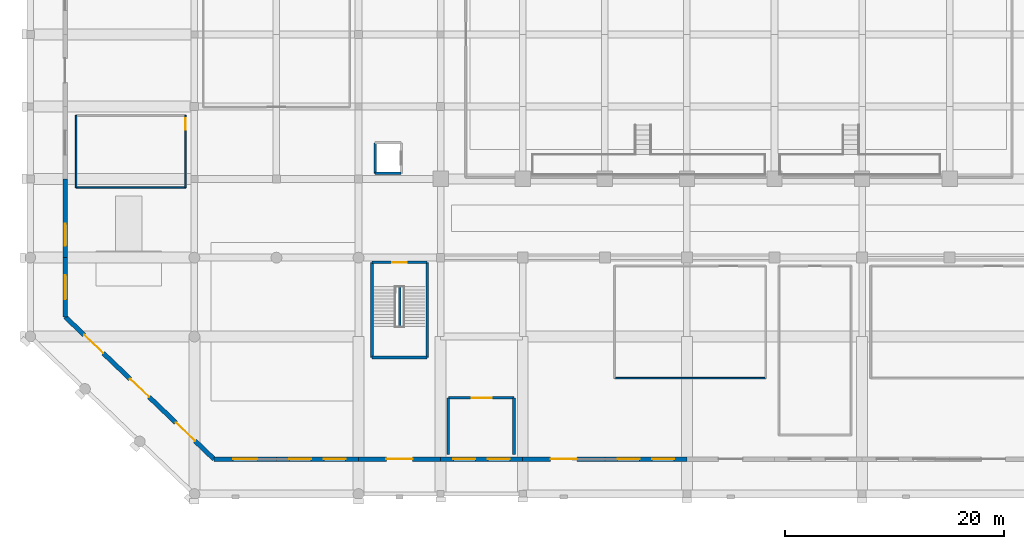
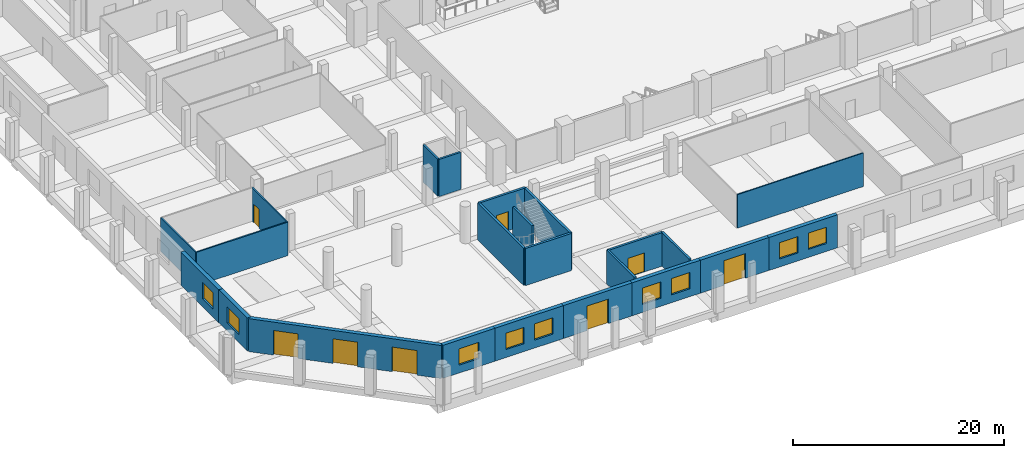
# One storey, part 11 of 33: 23 walls, 9 windows, 8 doors, 17 openings.
"""IFC4 building model written with IfcOpenShell, lengths in metres."""

from ifc_helpers import new_model, si_unit, direction, frame, frame_2d, origin, place, context, subcontext, project, spatial, rectangle, extrude, material, layer, layer_set, type_object, element, fill, save


model = new_model("IFC4")

# Units and contexts
model_context = context("Model", 3, precision=1e-05, world=origin(), true_north=direction((0.0, 1.0)))
body_context = subcontext(model_context, "Body", "Model", "MODEL_VIEW")
ifc_project = project(units=[si_unit("LENGTHUNIT", "METRE"), si_unit("AREAUNIT", "SQUARE_METRE"), si_unit("VOLUMEUNIT", "CUBIC_METRE"), si_unit("PLANEANGLEUNIT", "RADIAN"), si_unit("MASSUNIT", "GRAM", prefix="KILO")], contexts=[model_context])

# Site, building, storey
site_placement = place(None, origin())
site = spatial("IfcSite", under=ifc_project, at=site_placement, CompositionType="ELEMENT")
building_placement = place(site_placement, origin())
building = spatial("IfcBuilding", under=site, at=building_placement, Name="Akrevak Sports Hall", CompositionType="ELEMENT")
storey_placement = place(building_placement, origin())
storey = spatial("IfcBuildingStorey", under=building, at=storey_placement, Name="L00", CompositionType="ELEMENT", Elevation=0.0)

# Wall, openings, doors
ifc_material_1 = material(Name="Limestone Ashlar", Category="stone")
ifc_layer_1 = layer(ifc_material_1, 0.090087890625, Name="Limestone Ashlar")
ifc_material_2 = material(Name="Mineral Wool Thermal Insulation", Category="insulation")
ifc_layer_2 = layer(ifc_material_2, 0.110107421875, Name="Mineral Wool Thermal Insulation")
ifc_material_3 = material(Name="Concrete C40/50", Category="concrete")
ifc_layer_3 = layer(ifc_material_3, 0.219970703125, Name="Concrete C40/50")
ifc_layer_set_1 = layer_set([ifc_layer_1, ifc_layer_2, ifc_layer_3], Name="Limestone Ashlar / Mineral Wool Thermal Insulation / Concrete C40/50")
wall_type_1 = type_object("IfcWallType", Name="ARC-WL-EXT-420", PredefinedType="SOLIDWALL", material=ifc_layer_set_1)
wall_1_placement = place(storey_placement, frame((16.800048828125, 3.199951171875, 0.0), z_axis=(0.0, 0.0, 1.0), x_axis=(-0.722875164409, 0.690978651392, 0.0)))
wall_1 = element("IfcWall", 1, at=wall_1_placement, inside=storey, type_object=wall_type_1, Name="Beaux-Arts Chamfer Colonnade Entrance Portal L00", PredefinedType="SOLIDWALL", context=body_context, shape_type="SweptSolid", body=[
    extrude(rectangle(XDim=18.81396484375, YDim=0.419921875, at=frame_2d((9.406982421875, 0.0))), origin(), (0.0, 0.0, 1.0), 3.820068359375),
])
opening_1_placement = place(wall_1_placement, frame((2.39990234375, 0.0, 0.0)))
opening_1 = element("IfcOpeningElement", 2, at=opening_1_placement, cuts=wall_1, Name="Opening ED-01", PredefinedType="OPENING", context=body_context, shape_type="SweptSolid", body=[
    extrude(rectangle(XDim=2.39990234375, YDim=2.85009765625, at=frame_2d((1.199951171875, 1.425048828125))), frame((0.0, 0.221923828125, 0.0), z_axis=(0.0, -1.0, 0.0), x_axis=(1.0, 0.0, 0.0)), (0.0, 0.0, 1.0), 0.44384765625),
])
opening_2_placement = place(wall_1_placement, frame((8.199951171875, 0.0, 0.0)))
opening_2 = element("IfcOpeningElement", 3, at=opening_2_placement, cuts=wall_1, Name="Opening ED-01", PredefinedType="OPENING", context=body_context, shape_type="SweptSolid", body=[
    extrude(rectangle(XDim=2.39990234375, YDim=2.85009765625, at=frame_2d((1.199951171875, 1.425048828125))), frame((0.0, 0.221923828125, 0.0), z_axis=(0.0, -1.0, 0.0), x_axis=(1.0, 0.0, 0.0)), (0.0, 0.0, 1.0), 0.44384765625),
])
opening_3_placement = place(wall_1_placement, frame((14.0, 0.0, 0.0)))
opening_3 = element("IfcOpeningElement", 4, at=opening_3_placement, cuts=wall_1, Name="Opening ED-01", PredefinedType="OPENING", context=body_context, shape_type="SweptSolid", body=[
    extrude(rectangle(XDim=2.39990234375, YDim=2.85009765625, at=frame_2d((1.199951171875, 1.425048828125))), frame((0.0, 0.221923828125, 0.0), z_axis=(0.0, -1.0, 0.0), x_axis=(1.0, 0.0, 0.0)), (0.0, 0.0, 1.0), 0.44384765625),
])
ifc_material_4 = material(Name="Anodized Bronze Aluminium & Tempered Glass", Category="aluminium")
door_type_1 = type_object("IfcDoorType", Name="ARC-DR-EXT-240x260", OperationType="DOUBLE_DOOR_SINGLE_SWING", PredefinedType="DOOR", material=ifc_material_4)
door_1_placement = place(opening_1_placement, origin())
door_1 = element("IfcDoor", 5, at=door_1_placement, inside=storey, type_object=door_type_1, Name="Grand Rotunda Corner Portal Center ED00", OperationType="DOUBLE_DOOR_SINGLE_SWING", OverallHeight=2.85009765625, OverallWidth=2.39990234375, PredefinedType="DOOR", context=body_context, shape_type="SweptSolid", body=[
    extrude(rectangle(XDim=2.39990234375, YDim=2.85009765625, at=frame_2d((1.199951171875, 1.425048828125))), frame((0.0, 0.02490234375, 0.0), z_axis=(0.0, -1.0, 0.0), x_axis=(1.0, 0.0, 0.0)), (0.0, 0.0, 1.0), 0.050048828125),
])
fill(opening_1, door_1)
door_2_placement = place(opening_2_placement, origin())
door_2 = element("IfcDoor", 6, at=door_2_placement, inside=storey, type_object=door_type_1, Name="Grand Rotunda Corner Portal West ED00B", OperationType="DOUBLE_DOOR_SINGLE_SWING", OverallHeight=2.85009765625, OverallWidth=2.39990234375, PredefinedType="DOOR", context=body_context, shape_type="SweptSolid", body=[
    extrude(rectangle(XDim=2.39990234375, YDim=2.85009765625, at=frame_2d((1.199951171875, 1.425048828125))), frame((0.0, 0.02490234375, 0.0), z_axis=(0.0, -1.0, 0.0), x_axis=(1.0, 0.0, 0.0)), (0.0, 0.0, 1.0), 0.050048828125),
])
fill(opening_2, door_2)
door_3_placement = place(opening_3_placement, origin())
door_3 = element("IfcDoor", 7, at=door_3_placement, inside=storey, type_object=door_type_1, Name="Grand Rotunda Corner Portal North-West ED00C", OperationType="DOUBLE_DOOR_SINGLE_SWING", OverallHeight=2.85009765625, OverallWidth=2.39990234375, PredefinedType="DOOR", context=body_context, shape_type="SweptSolid", body=[
    extrude(rectangle(XDim=2.39990234375, YDim=2.85009765625, at=frame_2d((1.199951171875, 1.425048828125))), frame((0.0, 0.02490234375, 0.0), z_axis=(0.0, -1.0, 0.0), x_axis=(1.0, 0.0, 0.0)), (0.0, 0.0, 1.0), 0.050048828125),
])
fill(opening_3, door_3)

# Wall, opening, window
wall_2_placement = place(storey_placement, frame((16.800048828125, 3.199951171875, 0.0), z_axis=(0.0, 0.0, 1.0), x_axis=(1.0, 0.0, 0.0)))
wall_2 = element("IfcWall", 8, at=wall_2_placement, inside=storey, type_object=wall_type_1, Name="South Street Arcade Limestone Wall L00-S01", PredefinedType="SOLIDWALL", context=body_context, shape_type="SweptSolid", body=[
    extrude(rectangle(XDim=5.699951171875, YDim=0.419921875, at=frame_2d((2.85009765625, 0.0))), origin(), (0.0, 0.0, 1.0), 3.820068359375),
])
opening_4_placement = place(wall_2_placement, frame((1.75, 0.0, 0.919921875)))
opening_4 = element("IfcOpeningElement", 9, at=opening_4_placement, cuts=wall_2, Name="Opening WN-27", PredefinedType="OPENING", context=body_context, shape_type="SweptSolid", body=[
    extrude(rectangle(XDim=2.199951171875, YDim=1.889892578125, at=frame_2d((1.10009765625, 0.94482421875))), frame((0.0, 0.221923828125, 0.0), z_axis=(0.0, -1.0, 0.0), x_axis=(1.0, 0.0, 0.0)), (0.0, 0.0, 1.0), 0.44384765625),
])
ifc_material_5 = material(Name="Thermally Broken Bronze Frame & Double Low-E Glass", Category="glass")
window_type_1 = type_object("IfcWindowType", Name="ARC-WIN-SZ-2200x1890", PartitioningType="SINGLE_PANEL", PredefinedType="WINDOW", material=ifc_material_5)
window_1_placement = place(opening_4_placement, origin())
window_1 = element("IfcWindow", 10, at=window_1_placement, inside=storey, type_object=window_type_1, Name="Beaux-Arts Facade Window WIN-L00-S01", OverallHeight=1.889892578125, OverallWidth=2.199951171875, PartitioningType="SINGLE_PANEL", PredefinedType="WINDOW", context=body_context, shape_type="SweptSolid", body=[
    extrude(rectangle(XDim=2.199951171875, YDim=1.889892578125, at=frame_2d((1.10009765625, 0.94482421875))), frame((0.0, 0.030029296875, 0.0), z_axis=(0.0, -1.0, 0.0), x_axis=(1.0, 0.0, 0.0)), (0.0, 0.0, 1.0), 0.06005859375),
])
fill(opening_4, window_1)

# Wall, openings, windows
wall_3_placement = place(storey_placement, frame((22.5, 3.199951171875, 0.0), z_axis=(0.0, 0.0, 1.0), x_axis=(1.0, 0.0, 0.0)))
wall_3 = element("IfcWall", 11, at=wall_3_placement, inside=storey, type_object=wall_type_1, Name="South Street Arcade Limestone Wall L00-S02", PredefinedType="SOLIDWALL", context=body_context, shape_type="SweptSolid", body=[
    extrude(rectangle(XDim=7.5, YDim=0.419921875, at=frame_2d((3.75, 0.0))), origin(), (0.0, 0.0, 1.0), 3.820068359375),
])
opening_5_placement = place(wall_3_placement, frame((1.175048828125, 0.0, 0.919921875)))
opening_5 = element("IfcOpeningElement", 12, at=opening_5_placement, cuts=wall_3, Name="Opening WN-28", PredefinedType="OPENING", context=body_context, shape_type="SweptSolid", body=[
    extrude(rectangle(XDim=2.0, YDim=1.889892578125, at=frame_2d((1.0, 0.94482421875))), frame((0.0, 0.221923828125, 0.0), z_axis=(0.0, -1.0, 0.0), x_axis=(1.0, 0.0, 0.0)), (0.0, 0.0, 1.0), 0.44384765625),
])
opening_6_placement = place(wall_3_placement, frame((4.324951171875, 0.0, 0.919921875)))
opening_6 = element("IfcOpeningElement", 13, at=opening_6_placement, cuts=wall_3, Name="Opening WN-28", PredefinedType="OPENING", context=body_context, shape_type="SweptSolid", body=[
    extrude(rectangle(XDim=2.0, YDim=1.889892578125, at=frame_2d((1.0, 0.94482421875))), frame((0.0, 0.221923828125, 0.0), z_axis=(0.0, -1.0, 0.0), x_axis=(1.0, 0.0, 0.0)), (0.0, 0.0, 1.0), 0.44384765625),
])
window_type_2 = type_object("IfcWindowType", Name="ARC-WIN-SZ-2000x1890", PartitioningType="SINGLE_PANEL", PredefinedType="WINDOW", material=ifc_material_5)
window_2_placement = place(opening_5_placement, origin())
window_2 = element("IfcWindow", 14, at=window_2_placement, inside=storey, type_object=window_type_2, Name="Beaux-Arts Facade Window WIN-L00-S02-1", OverallHeight=1.889892578125, OverallWidth=2.0, PartitioningType="SINGLE_PANEL", PredefinedType="WINDOW", context=body_context, shape_type="SweptSolid", body=[
    extrude(rectangle(XDim=2.0, YDim=1.889892578125, at=frame_2d((1.0, 0.94482421875))), frame((0.0, 0.030029296875, 0.0), z_axis=(0.0, -1.0, 0.0), x_axis=(1.0, 0.0, 0.0)), (0.0, 0.0, 1.0), 0.06005859375),
])
fill(opening_5, window_2)
window_3_placement = place(opening_6_placement, origin())
window_3 = element("IfcWindow", 15, at=window_3_placement, inside=storey, type_object=window_type_2, Name="Beaux-Arts Facade Window WIN-L00-S02-2", OverallHeight=1.889892578125, OverallWidth=2.0, PartitioningType="SINGLE_PANEL", PredefinedType="WINDOW", context=body_context, shape_type="SweptSolid", body=[
    extrude(rectangle(XDim=2.0, YDim=1.889892578125, at=frame_2d((1.0, 0.94482421875))), frame((0.0, 0.030029296875, 0.0), z_axis=(0.0, -1.0, 0.0), x_axis=(1.0, 0.0, 0.0)), (0.0, 0.0, 1.0), 0.06005859375),
])
fill(opening_6, window_3)

# Wall, opening, door
wall_4_placement = place(storey_placement, frame((30.0, 3.199951171875, 0.0), z_axis=(0.0, 0.0, 1.0), x_axis=(1.0, 0.0, 0.0)))
wall_4 = element("IfcWall", 16, at=wall_4_placement, inside=storey, type_object=wall_type_1, Name="South Street Arcade Limestone Wall L00-S03", PredefinedType="SOLIDWALL", context=body_context, shape_type="SweptSolid", body=[
    extrude(rectangle(XDim=7.5, YDim=0.419921875, at=frame_2d((3.75, 0.0))), origin(), (0.0, 0.0, 1.0), 3.820068359375),
])
opening_7_placement = place(wall_4_placement, frame((2.550048828125, 0.0, 0.0)))
opening_7 = element("IfcOpeningElement", 17, at=opening_7_placement, cuts=wall_4, Name="Opening ED-01", PredefinedType="OPENING", context=body_context, shape_type="SweptSolid", body=[
    extrude(rectangle(XDim=2.39990234375, YDim=2.85009765625, at=frame_2d((1.199951171875, 1.425048828125))), frame((0.0, 0.221923828125, 0.0), z_axis=(0.0, -1.0, 0.0), x_axis=(1.0, 0.0, 0.0)), (0.0, 0.0, 1.0), 0.44384765625),
])
door_4_placement = place(opening_7_placement, frame((2.39990234375, 0.0, 0.0), z_axis=(0.0, 0.0, 1.0), x_axis=(-1.0, 0.0, 0.0)))
door_4 = element("IfcDoor", 18, at=door_4_placement, inside=storey, type_object=door_type_1, Name="Main Entrance South Arcade West ED01", OperationType="DOUBLE_DOOR_SINGLE_SWING", OverallHeight=2.85009765625, OverallWidth=2.39990234375, PredefinedType="DOOR", context=body_context, shape_type="SweptSolid", body=[
    extrude(rectangle(XDim=2.39990234375, YDim=2.85009765625, at=frame_2d((1.199951171875, 1.425048828125))), frame((0.0, 0.02490234375, 0.0), z_axis=(0.0, -1.0, 0.0), x_axis=(1.0, 0.0, 0.0)), (0.0, 0.0, 1.0), 0.050048828125),
])
fill(opening_7, door_4)

# Wall, openings, windows
wall_5_placement = place(storey_placement, frame((37.5, 3.199951171875, 0.0), z_axis=(0.0, 0.0, 1.0), x_axis=(1.0, 0.0, 0.0)))
wall_5 = element("IfcWall", 19, at=wall_5_placement, inside=storey, type_object=wall_type_1, Name="South Street Arcade Limestone Wall L00-S04", PredefinedType="SOLIDWALL", context=body_context, shape_type="SweptSolid", body=[
    extrude(rectangle(XDim=7.5, YDim=0.419921875, at=frame_2d((3.75, 0.0))), origin(), (0.0, 0.0, 1.0), 3.820068359375),
])
opening_8_placement = place(wall_5_placement, frame((1.175048828125, 0.0, 0.919921875)))
opening_8 = element("IfcOpeningElement", 20, at=opening_8_placement, cuts=wall_5, Name="Opening WN-28", PredefinedType="OPENING", context=body_context, shape_type="SweptSolid", body=[
    extrude(rectangle(XDim=2.0, YDim=1.889892578125, at=frame_2d((1.0, 0.94482421875))), frame((0.0, 0.221923828125, 0.0), z_axis=(0.0, -1.0, 0.0), x_axis=(1.0, 0.0, 0.0)), (0.0, 0.0, 1.0), 0.44384765625),
])
opening_9_placement = place(wall_5_placement, frame((4.324951171875, 0.0, 0.919921875)))
opening_9 = element("IfcOpeningElement", 21, at=opening_9_placement, cuts=wall_5, Name="Opening WN-28", PredefinedType="OPENING", context=body_context, shape_type="SweptSolid", body=[
    extrude(rectangle(XDim=2.0, YDim=1.889892578125, at=frame_2d((1.0, 0.94482421875))), frame((0.0, 0.221923828125, 0.0), z_axis=(0.0, -1.0, 0.0), x_axis=(1.0, 0.0, 0.0)), (0.0, 0.0, 1.0), 0.44384765625),
])
window_4_placement = place(opening_8_placement, origin())
window_4 = element("IfcWindow", 22, at=window_4_placement, inside=storey, type_object=window_type_2, Name="Beaux-Arts Facade Window WIN-L00-S04-1", OverallHeight=1.889892578125, OverallWidth=2.0, PartitioningType="SINGLE_PANEL", PredefinedType="WINDOW", context=body_context, shape_type="SweptSolid", body=[
    extrude(rectangle(XDim=2.0, YDim=1.889892578125, at=frame_2d((1.0, 0.94482421875))), frame((0.0, 0.030029296875, 0.0), z_axis=(0.0, -1.0, 0.0), x_axis=(1.0, 0.0, 0.0)), (0.0, 0.0, 1.0), 0.06005859375),
])
fill(opening_8, window_4)
window_5_placement = place(opening_9_placement, origin())
window_5 = element("IfcWindow", 23, at=window_5_placement, inside=storey, type_object=window_type_2, Name="Beaux-Arts Facade Window WIN-L00-S04-2", OverallHeight=1.889892578125, OverallWidth=2.0, PartitioningType="SINGLE_PANEL", PredefinedType="WINDOW", context=body_context, shape_type="SweptSolid", body=[
    extrude(rectangle(XDim=2.0, YDim=1.889892578125, at=frame_2d((1.0, 0.94482421875))), frame((0.0, 0.030029296875, 0.0), z_axis=(0.0, -1.0, 0.0), x_axis=(1.0, 0.0, 0.0)), (0.0, 0.0, 1.0), 0.06005859375),
])
fill(opening_9, window_5)

# Wall, opening, door
wall_6_placement = place(storey_placement, frame((45.0, 3.199951171875, 0.0), z_axis=(0.0, 0.0, 1.0), x_axis=(1.0, 0.0, 0.0)))
wall_6 = element("IfcWall", 24, at=wall_6_placement, inside=storey, type_object=wall_type_1, Name="South Street Arcade Limestone Wall L00-S05", PredefinedType="SOLIDWALL", context=body_context, shape_type="SweptSolid", body=[
    extrude(rectangle(XDim=7.5, YDim=0.419921875, at=frame_2d((3.75, 0.0))), origin(), (0.0, 0.0, 1.0), 3.820068359375),
])
opening_10_placement = place(wall_6_placement, frame((2.550048828125, 0.0, 0.0)))
opening_10 = element("IfcOpeningElement", 25, at=opening_10_placement, cuts=wall_6, Name="Opening ED-01", PredefinedType="OPENING", context=body_context, shape_type="SweptSolid", body=[
    extrude(rectangle(XDim=2.39990234375, YDim=2.85009765625, at=frame_2d((1.199951171875, 1.425048828125))), frame((0.0, 0.221923828125, 0.0), z_axis=(0.0, -1.0, 0.0), x_axis=(1.0, 0.0, 0.0)), (0.0, 0.0, 1.0), 0.44384765625),
])
door_5_placement = place(opening_10_placement, frame((2.39990234375, 0.0, 0.0), z_axis=(0.0, 0.0, 1.0), x_axis=(-1.0, 0.0, 0.0)))
door_5 = element("IfcDoor", 26, at=door_5_placement, inside=storey, type_object=door_type_1, Name="Main Entrance South Arcade East ED02", OperationType="DOUBLE_DOOR_SINGLE_SWING", OverallHeight=2.85009765625, OverallWidth=2.39990234375, PredefinedType="DOOR", context=body_context, shape_type="SweptSolid", body=[
    extrude(rectangle(XDim=2.39990234375, YDim=2.85009765625, at=frame_2d((1.199951171875, 1.425048828125))), frame((0.0, 0.02490234375, 0.0), z_axis=(0.0, -1.0, 0.0), x_axis=(1.0, 0.0, 0.0)), (0.0, 0.0, 1.0), 0.050048828125),
])
fill(opening_10, door_5)

# Wall, openings, windows
wall_7_placement = place(storey_placement, frame((52.5, 3.199951171875, 0.0), z_axis=(0.0, 0.0, 1.0), x_axis=(1.0, 0.0, 0.0)))
wall_7 = element("IfcWall", 27, at=wall_7_placement, inside=storey, type_object=wall_type_1, Name="South Street Arcade Limestone Wall L00-S06", PredefinedType="SOLIDWALL", context=body_context, shape_type="SweptSolid", body=[
    extrude(rectangle(XDim=7.5, YDim=0.419921875, at=frame_2d((3.75, 0.0))), origin(), (0.0, 0.0, 1.0), 3.820068359375),
])
opening_11_placement = place(wall_7_placement, frame((1.175048828125, 0.0, 0.919921875)))
opening_11 = element("IfcOpeningElement", 28, at=opening_11_placement, cuts=wall_7, Name="Opening WN-28", PredefinedType="OPENING", context=body_context, shape_type="SweptSolid", body=[
    extrude(rectangle(XDim=2.0, YDim=1.889892578125, at=frame_2d((1.0, 0.94482421875))), frame((0.0, 0.221923828125, 0.0), z_axis=(0.0, -1.0, 0.0), x_axis=(1.0, 0.0, 0.0)), (0.0, 0.0, 1.0), 0.44384765625),
])
opening_12_placement = place(wall_7_placement, frame((4.324951171875, 0.0, 0.919921875)))
opening_12 = element("IfcOpeningElement", 29, at=opening_12_placement, cuts=wall_7, Name="Opening WN-28", PredefinedType="OPENING", context=body_context, shape_type="SweptSolid", body=[
    extrude(rectangle(XDim=2.0, YDim=1.889892578125, at=frame_2d((1.0, 0.94482421875))), frame((0.0, 0.221923828125, 0.0), z_axis=(0.0, -1.0, 0.0), x_axis=(1.0, 0.0, 0.0)), (0.0, 0.0, 1.0), 0.44384765625),
])
window_6_placement = place(opening_11_placement, origin())
window_6 = element("IfcWindow", 30, at=window_6_placement, inside=storey, type_object=window_type_2, Name="Beaux-Arts Facade Window WIN-L00-S06-1", OverallHeight=1.889892578125, OverallWidth=2.0, PartitioningType="SINGLE_PANEL", PredefinedType="WINDOW", context=body_context, shape_type="SweptSolid", body=[
    extrude(rectangle(XDim=2.0, YDim=1.889892578125, at=frame_2d((1.0, 0.94482421875))), frame((0.0, 0.030029296875, 0.0), z_axis=(0.0, -1.0, 0.0), x_axis=(1.0, 0.0, 0.0)), (0.0, 0.0, 1.0), 0.06005859375),
])
fill(opening_11, window_6)
window_7_placement = place(opening_12_placement, origin())
window_7 = element("IfcWindow", 31, at=window_7_placement, inside=storey, type_object=window_type_2, Name="Beaux-Arts Facade Window WIN-L00-S06-2", OverallHeight=1.889892578125, OverallWidth=2.0, PartitioningType="SINGLE_PANEL", PredefinedType="WINDOW", context=body_context, shape_type="SweptSolid", body=[
    extrude(rectangle(XDim=2.0, YDim=1.889892578125, at=frame_2d((1.0, 0.94482421875))), frame((0.0, 0.030029296875, 0.0), z_axis=(0.0, -1.0, 0.0), x_axis=(1.0, 0.0, 0.0)), (0.0, 0.0, 1.0), 0.06005859375),
])
fill(opening_12, window_7)

# Wall, opening, window
wall_8_placement = place(storey_placement, frame((3.199951171875, 21.60009765625, 0.0), z_axis=(0.0, 0.0, 1.0), x_axis=(0.0, -1.0, 0.0)))
wall_8 = element("IfcWall", 32, at=wall_8_placement, inside=storey, type_object=wall_type_1, Name="West Boulevard Arcade Limestone Wall L00-W01", PredefinedType="SOLIDWALL", context=body_context, shape_type="SweptSolid", body=[
    extrude(rectangle(XDim=5.400146484375, YDim=0.419921875, at=frame_2d((2.7001953125, 0.0))), origin(), (0.0, 0.0, 1.0), 3.820068359375),
])
opening_13_placement = place(wall_8_placement, frame((1.60009765625, 0.0, 0.919921875)))
opening_13 = element("IfcOpeningElement", 33, at=opening_13_placement, cuts=wall_8, Name="Opening WN-27", PredefinedType="OPENING", context=body_context, shape_type="SweptSolid", body=[
    extrude(rectangle(XDim=2.199951171875, YDim=1.889892578125, at=frame_2d((1.10009765625, 0.94482421875))), frame((0.0, 0.221923828125, 0.0), z_axis=(0.0, -1.0, 0.0), x_axis=(1.0, 0.0, 0.0)), (0.0, 0.0, 1.0), 0.44384765625),
])
window_8_placement = place(opening_13_placement, origin())
window_8 = element("IfcWindow", 34, at=window_8_placement, inside=storey, type_object=window_type_1, Name="Beaux-Arts Facade Window WIN-L00-W01", OverallHeight=1.889892578125, OverallWidth=2.199951171875, PartitioningType="SINGLE_PANEL", PredefinedType="WINDOW", context=body_context, shape_type="SweptSolid", body=[
    extrude(rectangle(XDim=2.199951171875, YDim=1.889892578125, at=frame_2d((1.10009765625, 0.94482421875))), frame((0.0, 0.030029296875, 0.0), z_axis=(0.0, -1.0, 0.0), x_axis=(1.0, 0.0, 0.0)), (0.0, 0.0, 1.0), 0.06005859375),
])
fill(opening_13, window_8)

wall_9_placement = place(storey_placement, frame((3.199951171875, 28.800048828125, 0.0), z_axis=(0.0, 0.0, 1.0), x_axis=(0.0, -1.0, 0.0)))
wall_9 = element("IfcWall", 35, at=wall_9_placement, inside=storey, type_object=wall_type_1, Name="West Boulevard Arcade Limestone Wall L00-W02", PredefinedType="SOLIDWALL", context=body_context, shape_type="SweptSolid", body=[
    extrude(rectangle(XDim=7.199951171875, YDim=0.419921875, at=frame_2d((3.60009765625, 0.0))), origin(), (0.0, 0.0, 1.0), 3.820068359375),
])
opening_14_placement = place(wall_9_placement, frame((4.112060546875, 0.0, 0.919921875)))
opening_14 = element("IfcOpeningElement", 36, at=opening_14_placement, cuts=wall_9, Name="Opening WN-28", PredefinedType="OPENING", context=body_context, shape_type="SweptSolid", body=[
    extrude(rectangle(XDim=2.0, YDim=1.889892578125, at=frame_2d((1.0, 0.94482421875))), frame((0.0, 0.221923828125, 0.0), z_axis=(0.0, -1.0, 0.0), x_axis=(1.0, 0.0, 0.0)), (0.0, 0.0, 1.0), 0.44384765625),
])
window_9_placement = place(opening_14_placement, origin())
window_9 = element("IfcWindow", 37, at=window_9_placement, inside=storey, type_object=window_type_2, Name="Beaux-Arts Facade Window WIN-L00-W02-1", OverallHeight=1.889892578125, OverallWidth=2.0, PartitioningType="SINGLE_PANEL", PredefinedType="WINDOW", context=body_context, shape_type="SweptSolid", body=[
    extrude(rectangle(XDim=2.0, YDim=1.889892578125, at=frame_2d((1.0, 0.94482421875))), frame((0.0, 0.030029296875, 0.0), z_axis=(0.0, -1.0, 0.0), x_axis=(1.0, 0.0, 0.0)), (0.0, 0.0, 1.0), 0.06005859375),
])
fill(opening_14, window_9)

# Walls
ifc_material_6 = material(Name="Acoustic Metal Stud Partition", Category="gypsum")
ifc_layer_4 = layer(ifc_material_6, 0.1298828125, Name="Acoustic Metal Stud Partition")
ifc_layer_set_2 = layer_set([ifc_layer_4], Name="Acoustic Metal Stud Partition")
wall_type_2 = type_object("IfcWallType", Name="ARC-WL-PRT-130", PredefinedType="PARTITIONING", material=ifc_layer_set_2)
wall_10_placement = place(storey_placement, frame((53.39990234375, 10.60009765625, 0.0), z_axis=(0.0, 0.0, 1.0), x_axis=(1.0, 0.0, 0.0)))
element("IfcWall", 38, at=wall_10_placement, inside=storey, type_object=wall_type_2, Name="Interior Partition Sports Clinic Reception & Trauma Triage (S)", PredefinedType="PARTITIONING", context=body_context, shape_type="SweptSolid", body=[
    extrude(rectangle(XDim=13.800048828125, YDim=0.1298828125, at=frame_2d((6.89990234375, 0.0))), origin(), (0.0, 0.0, 1.0), 3.8798828125),
])
ifc_material_7 = material(Name="Double Stud Acoustic Gypsum Partition", Category="gypsum")
ifc_layer_5 = layer(ifc_material_7, 0.14990234375, Name="Double Stud Acoustic Gypsum Partition")
ifc_layer_set_3 = layer_set([ifc_layer_5], Name="Double Stud Acoustic Gypsum Partition")
wall_type_3 = type_object("IfcWallType", Name="ARC-WL-PRT-150", PredefinedType="PARTITIONING", material=ifc_layer_set_3)
wall_11_placement = place(storey_placement, frame((4.199951171875, 28.0, 0.0), z_axis=(0.0, 0.0, 1.0), x_axis=(1.0, 0.0, 0.0)))
element("IfcWall", 39, at=wall_11_placement, inside=storey, type_object=wall_type_3, Name="Interior Partition Rotunda North Federation Office L00 (S)", PredefinedType="PARTITIONING", context=body_context, shape_type="SweptSolid", body=[
    extrude(rectangle(XDim=10.0, YDim=0.14990234375, at=frame_2d((5.0, 0.0))), origin(), (0.0, 0.0, 1.0), 3.8798828125),
])
wall_12_placement = place(storey_placement, frame((4.199951171875, 28.0, 0.0), z_axis=(0.0, 0.0, 1.0), x_axis=(0.0, 1.0, 0.0)))
element("IfcWall", 40, at=wall_12_placement, inside=storey, type_object=wall_type_3, Name="Interior Partition Rotunda North Federation Office L00 (W)", PredefinedType="PARTITIONING", context=body_context, shape_type="SweptSolid", body=[
    extrude(rectangle(XDim=6.60009765625, YDim=0.14990234375, at=frame_2d((3.300048828125, 0.0))), origin(), (0.0, 0.0, 1.0), 3.8798828125),
])

# Wall, opening, door
wall_13_placement = place(storey_placement, frame((14.199951171875, 28.0, 0.0), z_axis=(0.0, 0.0, 1.0), x_axis=(0.0, 1.0, 0.0)))
wall_13 = element("IfcWall", 41, at=wall_13_placement, inside=storey, type_object=wall_type_3, Name="Interior Partition Rotunda North Federation Office L00 (E)", PredefinedType="PARTITIONING", context=body_context, shape_type="SweptSolid", body=[
    extrude(rectangle(XDim=6.60009765625, YDim=0.14990234375, at=frame_2d((3.300048828125, 0.0))), origin(), (0.0, 0.0, 1.0), 3.8798828125),
])
opening_15_placement = place(wall_13_placement, frame((5.27490234375, 0.0, 0.0)))
opening_15 = element("IfcOpeningElement", 42, at=opening_15_placement, cuts=wall_13, Name="Opening ID-05", PredefinedType="OPENING", context=body_context, shape_type="SweptSolid", body=[
    extrude(rectangle(XDim=1.050048828125, YDim=2.14990234375, at=frame_2d((0.52490234375, 1.074951171875))), frame((0.0, 0.0869140625, 0.0), z_axis=(0.0, -1.0, 0.0), x_axis=(1.0, 0.0, 0.0)), (0.0, 0.0, 1.0), 0.173828125),
])
ifc_material_8 = material(Name="Hardwood Oak Acoustic Leaf", Category="wood")
door_type_2 = type_object("IfcDoorType", Name="ARC-DR-OFF-105x215", OperationType="NOTDEFINED", PredefinedType="DOOR", material=ifc_material_8)
door_6_placement = place(opening_15_placement, frame((1.050048828125, 0.0, 0.0), z_axis=(0.0, 0.0, 1.0), x_axis=(-1.0, 0.0, 0.0)))
door_6 = element("IfcDoor", 43, at=door_6_placement, inside=storey, type_object=door_type_2, Name="Door to Rotunda North Federation Office L00", OperationType="SINGLE_SWING_RIGHT", OverallHeight=2.14990234375, OverallWidth=1.050048828125, PredefinedType="DOOR", context=body_context, shape_type="SweptSolid", body=[
    extrude(rectangle(XDim=1.050048828125, YDim=2.14990234375, at=frame_2d((0.52490234375, 1.074951171875))), frame((0.0, 0.02490234375, 0.0), z_axis=(0.0, -1.0, 0.0), x_axis=(1.0, 0.0, 0.0)), (0.0, 0.0, 1.0), 0.050048828125),
])
fill(opening_15, door_6)

# Wall
ifc_layer_6 = layer(ifc_material_3, 0.219970703125, Name="Concrete C40/50")
ifc_layer_set_4 = layer_set([ifc_layer_6], Name="Concrete C40/50")
wall_type_4 = type_object("IfcWallType", Name="ARC-WL-PRT-220", PredefinedType="PARTITIONING", material=ifc_layer_set_4)
wall_14_placement = place(storey_placement, frame((33.75, 15.31005859375, 0.0), z_axis=(0.0, 0.0, 1.0), x_axis=(0.0, 1.0, 0.0)))
element("IfcWall", 44, at=wall_14_placement, inside=storey, type_object=wall_type_4, Name="Stair ST5 Central Spine Wall (L00)", PredefinedType="PARTITIONING", context=body_context, shape_type="SweptSolid", body=[
    extrude(rectangle(XDim=3.639892578125, YDim=0.219970703125, at=frame_2d((1.81982421875, 0.0))), origin(), (0.0, 0.0, 1.0), 4.300048828125),
])

# Wall, opening, door
ifc_layer_7 = layer(ifc_material_3, 0.239990234375, Name="Concrete C40/50")
ifc_layer_set_5 = layer_set([ifc_layer_7], Name="Concrete C40/50")
wall_type_5 = type_object("IfcWallType", Name="ARC-WL-PRT-240", PredefinedType="PARTITIONING", material=ifc_layer_set_5)
wall_15_placement = place(storey_placement, frame((38.199951171875, 8.800048828125, 0.0), z_axis=(0.0, 0.0, 1.0), x_axis=(1.0, 0.0, 0.0)))
wall_15 = element("IfcWall", 45, at=wall_15_placement, inside=storey, type_object=wall_type_5, Name="Interior Partition Fire Command Room (N)", PredefinedType="PARTITIONING", context=body_context, shape_type="SweptSolid", body=[
    extrude(rectangle(XDim=6.0, YDim=0.239990234375, at=frame_2d((3.0, 0.0))), origin(), (0.0, 0.0, 1.0), 3.8798828125),
])
opening_16_placement = place(wall_15_placement, frame((2.14990234375, 0.0, 0.0)))
opening_16 = element("IfcOpeningElement", 46, at=opening_16_placement, cuts=wall_15, Name="Opening FD-02", PredefinedType="OPENING", context=body_context, shape_type="SweptSolid", body=[
    extrude(rectangle(XDim=1.800048828125, YDim=2.199951171875, at=frame_2d((0.89990234375, 1.10009765625))), frame((0.0, 0.1318359375, 0.0), z_axis=(0.0, -1.0, 0.0), x_axis=(1.0, 0.0, 0.0)), (0.0, 0.0, 1.0), 0.263916015625),
])
ifc_material_9 = material(Name="Fire-Rated Galvanized Door Steel", Category="steel")
door_type_3 = type_object("IfcDoorType", Name="ARC-DR-FIRE-180x220", OperationType="DOUBLE_DOOR_SINGLE_SWING", PredefinedType="DOOR", material=ifc_material_9)
door_7_placement = place(opening_16_placement, origin())
door_7 = element("IfcDoor", 47, at=door_7_placement, inside=storey, type_object=door_type_3, Name="Door to Fire Command Room", OperationType="DOUBLE_DOOR_SINGLE_SWING", OverallHeight=2.199951171875, OverallWidth=1.800048828125, PredefinedType="DOOR", context=body_context, shape_type="SweptSolid", body=[
    extrude(rectangle(XDim=1.800048828125, YDim=2.199951171875, at=frame_2d((0.89990234375, 1.10009765625))), frame((0.0, 0.02490234375, 0.0), z_axis=(0.0, -1.0, 0.0), x_axis=(1.0, 0.0, 0.0)), (0.0, 0.0, 1.0), 0.050048828125),
])
fill(opening_16, door_7)

# Walls
for number, where, z_axis, x_axis, name in (
    (48, (38.199951171875, 3.60009765625, 0.0), (0.0, 0.0, 1.0), (0.0, 1.0, 0.0), "Interior Partition Fire Command Room (W)"),
    (49, (44.199951171875, 3.60009765625, 0.0), (0.0, 0.0, 1.0), (0.0, 1.0, 0.0), "Interior Partition Fire Command Room (E)"),
):
    element("IfcWall", number, at=place(storey_placement, frame(where, z_axis=z_axis, x_axis=x_axis)), inside=storey, type_object=wall_type_5, Name=name, PredefinedType="PARTITIONING", context=body_context, shape_type="SweptSolid", body=[
        extrude(rectangle(XDim=5.199951171875, YDim=0.239990234375, at=frame_2d((2.60009765625, 0.0))), origin(), (0.0, 0.0, 1.0), 3.8798828125),
    ])
ifc_material_10 = material(Name="Concrete C50/60", Category="concrete")
ifc_layer_8 = layer(ifc_material_10, 0.219970703125, Name="Concrete C50/60")
ifc_layer_set_6 = layer_set([ifc_layer_8], Name="Concrete C50/60")
wall_type_6 = type_object("IfcWallType", Name="ARC-WL-SHAFT-220", PredefinedType="SHEAR", material=ifc_layer_set_6)
wall_16_placement = place(storey_placement, frame((31.510009765625, 29.31005859375, 0.0), z_axis=(0.0, 0.0, 1.0), x_axis=(1.0, 0.0, 0.0)))
element("IfcWall", 50, at=wall_16_placement, inside=storey, type_object=wall_type_6, Name="Lift Shaft LF-G1 Wall S (L00)", PredefinedType="SHEAR", context=body_context, shape_type="SweptSolid", body=[
    extrude(rectangle(XDim=2.3798828125, YDim=0.219970703125, at=frame_2d((1.18994140625, 0.0))), origin(), (0.0, 0.0, 1.0), 4.300048828125),
])
wall_17_placement = place(storey_placement, frame((31.510009765625, 32.090087890625, 0.0), z_axis=(0.0, 0.0, 1.0), x_axis=(0.0, -1.0, 0.0)))
element("IfcWall", 51, at=wall_17_placement, inside=storey, type_object=wall_type_6, Name="Lift Shaft LF-G1 Wall W (L00)", PredefinedType="SHEAR", context=body_context, shape_type="SweptSolid", body=[
    extrude(rectangle(XDim=2.780029296875, YDim=0.219970703125, at=frame_2d((1.39013671875, 0.0))), origin(), (0.0, 0.0, 1.0), 4.300048828125),
])
ifc_layer_9 = layer(ifc_material_10, 0.25, Name="Concrete C50/60")
ifc_layer_set_7 = layer_set([ifc_layer_9], Name="Concrete C50/60")
wall_type_7 = type_object("IfcWallType", Name="STR-WL-STAIR-250", PredefinedType="SHEAR", material=ifc_layer_set_7)
wall_18_placement = place(storey_placement, frame((31.22509765625, 12.47509765625, 0.0), z_axis=(0.0, 0.0, 1.0), x_axis=(1.0, 0.0, 0.0)))
element("IfcWall", 52, at=wall_18_placement, inside=storey, type_object=wall_type_7, Name="Stair Core ST5 Shear Wall S (L00)", PredefinedType="SHEAR", context=body_context, shape_type="SweptSolid", body=[
    extrude(rectangle(XDim=5.0498046875, YDim=0.25, at=frame_2d((2.52490234375, 0.0))), origin(), (0.0, 0.0, 1.0), 4.300048828125),
])

# Wall, opening, door
wall_19_placement = place(storey_placement, frame((36.27490234375, 21.175048828125, 0.0), z_axis=(0.0, 0.0, 1.0), x_axis=(-1.0, 0.0, 0.0)))
wall_19 = element("IfcWall", 53, at=wall_19_placement, inside=storey, type_object=wall_type_7, Name="Stair Core ST5 Shear Wall N (L00)", PredefinedType="SHEAR", context=body_context, shape_type="SweptSolid", body=[
    extrude(rectangle(XDim=5.0498046875, YDim=0.25, at=frame_2d((2.52490234375, 0.0))), origin(), (0.0, 0.0, 1.0), 4.300048828125),
])
opening_17_placement = place(wall_19_placement, frame((1.875, 0.0, 0.0)))
opening_17 = element("IfcOpeningElement", 54, at=opening_17_placement, cuts=wall_19, Name="Opening SD-01", PredefinedType="OPENING", context=body_context, shape_type="SweptSolid", body=[
    extrude(rectangle(XDim=1.300048828125, YDim=2.199951171875, at=frame_2d((0.64990234375, 1.10009765625))), frame((0.0, 0.136962890625, 0.0), z_axis=(0.0, -1.0, 0.0), x_axis=(1.0, 0.0, 0.0)), (0.0, 0.0, 1.0), 0.27392578125),
])
door_type_4 = type_object("IfcDoorType", Name="ARC-DR-STAIR-130x220", OperationType="NOTDEFINED", PredefinedType="DOOR", material=ifc_material_9)
door_8_placement = place(opening_17_placement, frame((1.300048828125, 0.0, 0.0), z_axis=(0.0, 0.0, 1.0), x_axis=(-1.0, 0.0, 0.0)))
door_8 = element("IfcDoor", 55, at=door_8_placement, inside=storey, type_object=door_type_4, Name="Exit Stair ST5 Door (L00)", OperationType="SINGLE_SWING_RIGHT", OverallHeight=2.199951171875, OverallWidth=1.300048828125, PredefinedType="DOOR", context=body_context, shape_type="SweptSolid", body=[
    extrude(rectangle(XDim=1.300048828125, YDim=2.199951171875, at=frame_2d((0.64990234375, 1.10009765625))), frame((0.0, 0.02490234375, 0.0), z_axis=(0.0, -1.0, 0.0), x_axis=(1.0, 0.0, 0.0)), (0.0, 0.0, 1.0), 0.050048828125),
])
fill(opening_17, door_8)

# Walls
for number, where, z_axis, x_axis, name in (
    (56, (31.22509765625, 21.175048828125, 0.0), (0.0, 0.0, 1.0), (0.0, -1.0, 0.0), "Stair Core ST5 Shear Wall W (L00)"),
    (57, (36.27490234375, 12.47509765625, 0.0), (0.0, 0.0, 1.0), (0.0, 1.0, 0.0), "Stair Core ST5 Shear Wall E (L00)"),
):
    element("IfcWall", number, at=place(storey_placement, frame(where, z_axis=z_axis, x_axis=x_axis)), inside=storey, type_object=wall_type_7, Name=name, PredefinedType="SHEAR", context=body_context, shape_type="SweptSolid", body=[
        extrude(rectangle(XDim=8.699951171875, YDim=0.25, at=frame_2d((4.35009765625, 0.0))), origin(), (0.0, 0.0, 1.0), 4.300048828125),
    ])

save(model, "model.ifc")
